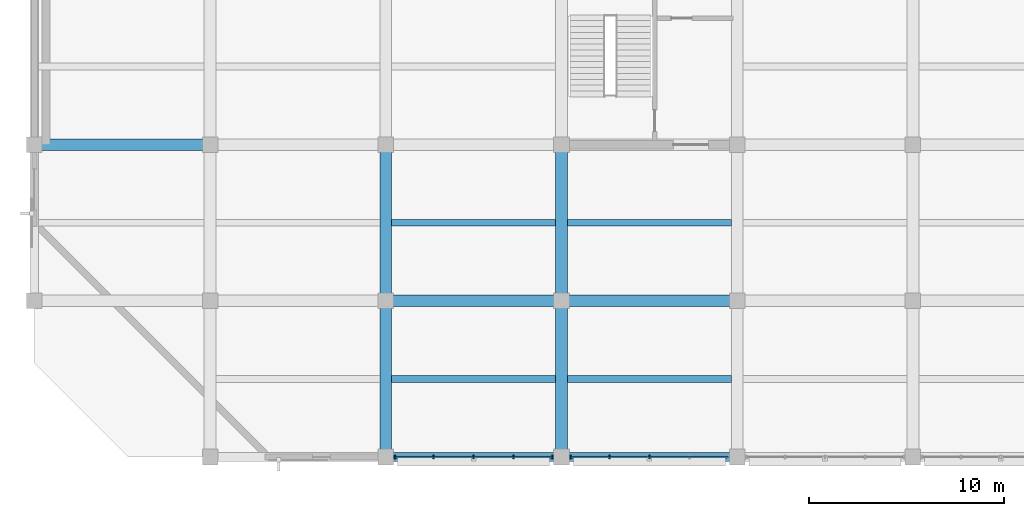
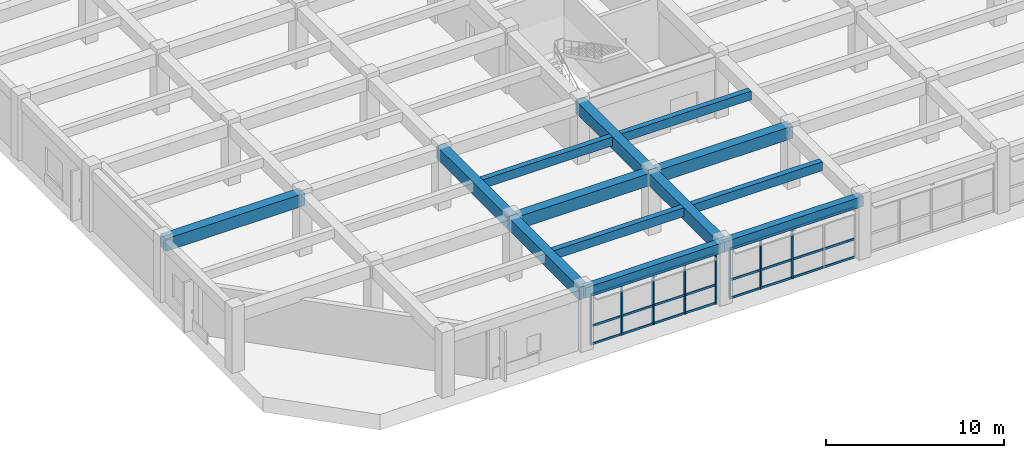
# One storey, part 3 of 50: 14 members, 13 beams, 2 elements without a shape of their own.
"""IFC4 building model written with IfcOpenShell, lengths in metres."""

from ifc_helpers import new_model, si_unit, direction, frame, origin, origin_2d, place, context, subcontext, project, spatial, rectangle, extrude, material, material_profile, profile_set, type_object, element, aggregate, save


model = new_model("IFC4")

# Units and contexts
model_context = context("Model", 3, precision=1e-05, world=origin(), true_north=direction((0.0, 1.0)))
body_context = subcontext(model_context, "Body", "Model", "MODEL_VIEW")
ifc_project = project(units=[si_unit("LENGTHUNIT", "METRE"), si_unit("AREAUNIT", "SQUARE_METRE"), si_unit("VOLUMEUNIT", "CUBIC_METRE"), si_unit("PLANEANGLEUNIT", "RADIAN"), si_unit("MASSUNIT", "GRAM", prefix="KILO")], contexts=[model_context])

# Site, building, storey
site_placement = place(None, origin())
site = spatial("IfcSite", under=ifc_project, at=site_placement, CompositionType="ELEMENT")
building_placement = place(site_placement, origin())
building = spatial("IfcBuilding", under=site, at=building_placement, Name="Zaverband Oceanarium and Marine Research Institute", CompositionType="ELEMENT")
storey_placement = place(building_placement, frame((0.0, 0.0, 4.5)))
storey = spatial("IfcBuildingStorey", under=building, at=storey_placement, Name="L01", CompositionType="ELEMENT", Elevation=4.5)

# Beams
ifc_material_1 = material(Name="Concrete C40/50", Category="concrete")
ifc_material_profile_1 = material_profile(ifc_material_1, rectangle(XDim=0.60009765625, YDim=0.85009765625, at=origin_2d()), Name="RC600x850")
ifc_profile_set_1 = profile_set([ifc_material_profile_1], Name="Concrete C40/50")
beam_type_1 = type_object("IfcBeamType", Name="BM-600x850", PredefinedType="BEAM", material=ifc_profile_set_1)
for number, where, z_axis, x_axis, name in (
    (1, (18.0, 8.0, 3.7548828125), (1.0, 0.0, 0.0), (0.0, 1.0, 0.0), "Primary floor girder BM-600x850"),
    (2, (27.0, 8.0, 3.7548828125), (1.0, 0.0, 0.0), (0.0, 1.0, 0.0), "Primary floor girder BM-600x850"),
    (3, (0.0, 16.0, 3.7548828125), (1.0, 0.0, 0.0), (0.0, 1.0, 0.0), "Primary floor girder BM-600x850"),
):
    element("IfcBeam", number, at=place(storey_placement, frame(where, z_axis=z_axis, x_axis=x_axis)), inside=storey, type_object=beam_type_1, Name=name, PredefinedType="BEAM", context=body_context, shape_type="SweptSolid", body=[
        extrude(rectangle(XDim=0.60009765625, YDim=0.85009765625, at=origin_2d()), origin(), (0.0, 0.0, 1.0), 9.0),
    ])
for number, where, z_axis, x_axis, name in (
    (4, (18.0, 0.0, 3.7548828125), (0.0, 1.0, 0.0), (-1.0, 0.0, 0.0), "Primary floor girder BM-600x850"),
    (5, (18.0, 8.0, 3.7548828125), (0.0, 1.0, 0.0), (-1.0, 0.0, 0.0), "Primary floor girder BM-600x850"),
    (6, (27.0, 0.0, 3.7548828125), (0.0, 1.0, 0.0), (-1.0, 0.0, 0.0), "Primary floor girder BM-600x850"),
    (7, (27.0, 8.0, 3.7548828125), (0.0, 1.0, 0.0), (-1.0, 0.0, 0.0), "Primary floor girder BM-600x850"),
):
    element("IfcBeam", number, at=place(storey_placement, frame(where, z_axis=z_axis, x_axis=x_axis)), inside=storey, type_object=beam_type_1, Name=name, PredefinedType="BEAM", context=body_context, shape_type="SweptSolid", body=[
        extrude(rectangle(XDim=0.60009765625, YDim=0.85009765625, at=origin_2d()), origin(), (0.0, 0.0, 1.0), 8.0),
    ])
ifc_material_profile_2 = material_profile(ifc_material_1, rectangle(XDim=0.35009765625, YDim=0.60009765625, at=origin_2d()), Name="RC350x600")
ifc_profile_set_2 = profile_set([ifc_material_profile_2], Name="Concrete C40/50")
beam_type_2 = type_object("IfcBeamType", Name="JST-350x600", PredefinedType="JOIST", material=ifc_profile_set_2)
for number, where, z_axis, x_axis, name in (
    (8, (18.300048828125, 4.0, 3.8798828125), (1.0, 0.0, 0.0), (0.0, 1.0, 0.0), "Secondary floor joist JST-350x600"),
    (9, (18.300048828125, 12.0, 3.8798828125), (1.0, 0.0, 0.0), (0.0, 1.0, 0.0), "Secondary floor joist JST-350x600"),
    (10, (27.300048828125, 4.0, 3.8798828125), (1.0, 0.0, 0.0), (0.0, 1.0, 0.0), "Secondary floor joist JST-350x600"),
    (11, (27.300048828125, 12.0, 3.8798828125), (1.0, 0.0, 0.0), (0.0, 1.0, 0.0), "Secondary floor joist JST-350x600"),
):
    element("IfcBeam", number, at=place(storey_placement, frame(where, z_axis=z_axis, x_axis=x_axis)), inside=storey, type_object=beam_type_2, Name=name, PredefinedType="JOIST", context=body_context, shape_type="SweptSolid", body=[
        extrude(rectangle(XDim=0.35009765625, YDim=0.60009765625, at=origin_2d()), origin(), (0.0, 0.0, 1.0), 8.39990234375),
    ])

# Curtain wall, members
ifc_material_2 = material(Name="Thermally broken anodized aluminium and solar-control glass", Category="aluminium")
curtain_wall_type = type_object("IfcCurtainWallType", Name="CW-UNIT-1800", PredefinedType="NOTDEFINED", material=ifc_material_2)
curtain_wall_1_placement = place(storey_placement, origin())
curtain_wall_1 = element("IfcCurtainWall", 12, at=curtain_wall_1_placement, inside=storey, type_object=curtain_wall_type, Name="Unitised glazed curtain wall CW-012", PredefinedType="NOTDEFINED")
ifc_material_3 = material(Name="Thermally broken anodized aluminium", Category="aluminium")
ifc_material_profile_3 = material_profile(ifc_material_3, rectangle(XDim=0.080078125, YDim=0.179931640625, at=origin_2d()), Name="AL-MUL-80x180")
ifc_profile_set_3 = profile_set([ifc_material_profile_3], Name="Thermally broken anodized aluminium")
member_type_1 = type_object("IfcMemberType", Name="MUL-80x180", PredefinedType="MULLION", material=ifc_profile_set_3)
member_1_placement = place(storey_placement, frame((18.465087890625, 0.0, 0.0), z_axis=(0.0, 0.0, 1.0), x_axis=(1.0, 0.0, 0.0)))
member_1 = element("IfcMember", 13, at=member_1_placement, type_object=member_type_1, Name="Curtain wall vertical mullion MUL-80x180", PredefinedType="MULLION", context=body_context, shape_type="SweptSolid", body=[
    extrude(rectangle(XDim=0.080078125, YDim=0.179931640625, at=origin_2d()), origin(), (0.0, 0.0, 1.0), 3.4599609375),
])
member_2_placement = place(storey_placement, frame((20.452392578125, 0.0, 0.0), z_axis=(0.0, 0.0, 1.0), x_axis=(1.0, 0.0, 0.0)))
member_2 = element("IfcMember", 14, at=member_2_placement, type_object=member_type_1, Name="Curtain wall vertical mullion MUL-80x180", PredefinedType="MULLION", context=body_context, shape_type="SweptSolid", body=[
    extrude(rectangle(XDim=0.080078125, YDim=0.179931640625, at=origin_2d()), origin(), (0.0, 0.0, 1.0), 3.4599609375),
])
member_3_placement = place(storey_placement, frame((22.5, 0.0, 0.0), z_axis=(0.0, 0.0, 1.0), x_axis=(1.0, 0.0, 0.0)))
member_3 = element("IfcMember", 15, at=member_3_placement, type_object=member_type_1, Name="Curtain wall vertical mullion MUL-80x180", PredefinedType="MULLION", context=body_context, shape_type="SweptSolid", body=[
    extrude(rectangle(XDim=0.080078125, YDim=0.179931640625, at=origin_2d()), origin(), (0.0, 0.0, 1.0), 3.4599609375),
])
member_4_placement = place(storey_placement, frame((24.547607421875, 0.0, 0.0), z_axis=(0.0, 0.0, 1.0), x_axis=(1.0, 0.0, 0.0)))
member_4 = element("IfcMember", 16, at=member_4_placement, type_object=member_type_1, Name="Curtain wall vertical mullion MUL-80x180", PredefinedType="MULLION", context=body_context, shape_type="SweptSolid", body=[
    extrude(rectangle(XDim=0.080078125, YDim=0.179931640625, at=origin_2d()), origin(), (0.0, 0.0, 1.0), 3.4599609375),
])
member_5_placement = place(storey_placement, frame((26.534912109375, 0.0, 0.0), z_axis=(0.0, 0.0, 1.0), x_axis=(1.0, 0.0, 0.0)))
member_5 = element("IfcMember", 17, at=member_5_placement, type_object=member_type_1, Name="Curtain wall vertical mullion MUL-80x180", PredefinedType="MULLION", context=body_context, shape_type="SweptSolid", body=[
    extrude(rectangle(XDim=0.080078125, YDim=0.179931640625, at=origin_2d()), origin(), (0.0, 0.0, 1.0), 3.4599609375),
])

curtain_wall_2_placement = place(storey_placement, origin())
curtain_wall_2 = element("IfcCurtainWall", 18, at=curtain_wall_2_placement, inside=storey, type_object=curtain_wall_type, Name="Unitised glazed curtain wall CW-013", PredefinedType="NOTDEFINED")
member_6_placement = place(storey_placement, frame((27.465087890625, 0.0, 0.0), z_axis=(0.0, 0.0, 1.0), x_axis=(1.0, 0.0, 0.0)))
member_6 = element("IfcMember", 19, at=member_6_placement, type_object=member_type_1, Name="Curtain wall vertical mullion MUL-80x180", PredefinedType="MULLION", context=body_context, shape_type="SweptSolid", body=[
    extrude(rectangle(XDim=0.080078125, YDim=0.179931640625, at=origin_2d()), origin(), (0.0, 0.0, 1.0), 3.4599609375),
])
member_7_placement = place(storey_placement, frame((29.452392578125, 0.0, 0.0), z_axis=(0.0, 0.0, 1.0), x_axis=(1.0, 0.0, 0.0)))
member_7 = element("IfcMember", 20, at=member_7_placement, type_object=member_type_1, Name="Curtain wall vertical mullion MUL-80x180", PredefinedType="MULLION", context=body_context, shape_type="SweptSolid", body=[
    extrude(rectangle(XDim=0.080078125, YDim=0.179931640625, at=origin_2d()), origin(), (0.0, 0.0, 1.0), 3.4599609375),
])
member_8_placement = place(storey_placement, frame((31.5, 0.0, 0.0), z_axis=(0.0, 0.0, 1.0), x_axis=(1.0, 0.0, 0.0)))
member_8 = element("IfcMember", 21, at=member_8_placement, type_object=member_type_1, Name="Curtain wall vertical mullion MUL-80x180", PredefinedType="MULLION", context=body_context, shape_type="SweptSolid", body=[
    extrude(rectangle(XDim=0.080078125, YDim=0.179931640625, at=origin_2d()), origin(), (0.0, 0.0, 1.0), 3.4599609375),
])

# Beams
ifc_material_profile_4 = material_profile(ifc_material_1, rectangle(XDim=0.449951171875, YDim=0.699951171875, at=origin_2d()), Name="RC450x700")
ifc_profile_set_4 = profile_set([ifc_material_profile_4], Name="Concrete C40/50")
beam_type_3 = type_object("IfcBeamType", Name="SPN-450x700", PredefinedType="SPANDREL", material=ifc_profile_set_4)
for number, where, z_axis, x_axis, name in (
    (22, (18.0, 0.0, 3.830078125), (1.0, 0.0, 0.0), (0.0, 1.0, 0.0), "Perimeter spandrel beam SPN-450x700"),
    (23, (27.0, 0.0, 3.830078125), (1.0, 0.0, 0.0), (0.0, 1.0, 0.0), "Perimeter spandrel beam SPN-450x700"),
):
    element("IfcBeam", number, at=place(storey_placement, frame(where, z_axis=z_axis, x_axis=x_axis)), inside=storey, type_object=beam_type_3, Name=name, PredefinedType="SPANDREL", context=body_context, shape_type="SweptSolid", body=[
        extrude(rectangle(XDim=0.449951171875, YDim=0.699951171875, at=origin_2d()), origin(), (0.0, 0.0, 1.0), 9.0),
    ])

# Member
ifc_material_profile_5 = material_profile(ifc_material_3, rectangle(XDim=0.080078125, YDim=0.139892578125, at=origin_2d()), Name="AL-TRN-80x140")
ifc_profile_set_5 = profile_set([ifc_material_profile_5], Name="Thermally broken anodized aluminium")
member_type_2 = type_object("IfcMemberType", Name="TRN-80x140", PredefinedType="USERDEFINED", material=ifc_profile_set_5)
member_9_placement = place(storey_placement, frame((18.465087890625, 0.0, 0.050048828125), z_axis=(1.0, 0.0, 0.0), x_axis=(0.0, 1.0, 0.0)))
member_9 = element("IfcMember", 24, at=member_9_placement, type_object=member_type_2, Name="Curtain wall horizontal transom TRN-80x140", ObjectType="TRANSOM", PredefinedType="USERDEFINED", context=body_context, shape_type="SweptSolid", body=[
    extrude(rectangle(XDim=0.080078125, YDim=0.139892578125, at=origin_2d()), origin(), (0.0, 0.0, 1.0), 8.06982421875),
])

member_10_placement = place(storey_placement, frame((18.465087890625, 0.0, 1.291015625), z_axis=(1.0, 0.0, 0.0), x_axis=(0.0, 1.0, 0.0)))
member_10 = element("IfcMember", 25, at=member_10_placement, type_object=member_type_2, Name="Curtain wall horizontal transom TRN-80x140", ObjectType="TRANSOM", PredefinedType="USERDEFINED", context=body_context, shape_type="SweptSolid", body=[
    extrude(rectangle(XDim=0.080078125, YDim=0.139892578125, at=origin_2d()), origin(), (0.0, 0.0, 1.0), 8.06982421875),
])

member_11_placement = place(storey_placement, frame((18.465087890625, 0.0, 3.409912109375), z_axis=(1.0, 0.0, 0.0), x_axis=(0.0, 1.0, 0.0)))
member_11 = element("IfcMember", 26, at=member_11_placement, type_object=member_type_2, Name="Curtain wall horizontal transom TRN-80x140", ObjectType="TRANSOM", PredefinedType="USERDEFINED", context=body_context, shape_type="SweptSolid", body=[
    extrude(rectangle(XDim=0.080078125, YDim=0.139892578125, at=origin_2d()), origin(), (0.0, 0.0, 1.0), 8.06982421875),
])

aggregate(curtain_wall_1, [member_1, member_2, member_3, member_4, member_5, member_9, member_10, member_11])

member_12_placement = place(storey_placement, frame((27.465087890625, 0.0, 0.050048828125), z_axis=(1.0, 0.0, 0.0), x_axis=(0.0, 1.0, 0.0)))
member_12 = element("IfcMember", 27, at=member_12_placement, type_object=member_type_2, Name="Curtain wall horizontal transom TRN-80x140", ObjectType="TRANSOM", PredefinedType="USERDEFINED", context=body_context, shape_type="SweptSolid", body=[
    extrude(rectangle(XDim=0.080078125, YDim=0.139892578125, at=origin_2d()), origin(), (0.0, 0.0, 1.0), 8.06982421875),
])

member_13_placement = place(storey_placement, frame((27.465087890625, 0.0, 1.291015625), z_axis=(1.0, 0.0, 0.0), x_axis=(0.0, 1.0, 0.0)))
member_13 = element("IfcMember", 28, at=member_13_placement, type_object=member_type_2, Name="Curtain wall horizontal transom TRN-80x140", ObjectType="TRANSOM", PredefinedType="USERDEFINED", context=body_context, shape_type="SweptSolid", body=[
    extrude(rectangle(XDim=0.080078125, YDim=0.139892578125, at=origin_2d()), origin(), (0.0, 0.0, 1.0), 8.06982421875),
])

member_14_placement = place(storey_placement, frame((27.465087890625, 0.0, 3.409912109375), z_axis=(1.0, 0.0, 0.0), x_axis=(0.0, 1.0, 0.0)))
member_14 = element("IfcMember", 29, at=member_14_placement, type_object=member_type_2, Name="Curtain wall horizontal transom TRN-80x140", ObjectType="TRANSOM", PredefinedType="USERDEFINED", context=body_context, shape_type="SweptSolid", body=[
    extrude(rectangle(XDim=0.080078125, YDim=0.139892578125, at=origin_2d()), origin(), (0.0, 0.0, 1.0), 8.06982421875),
])

aggregate(curtain_wall_2, [member_6, member_7, member_8, member_12, member_13, member_14])

save(model, "model.ifc")
